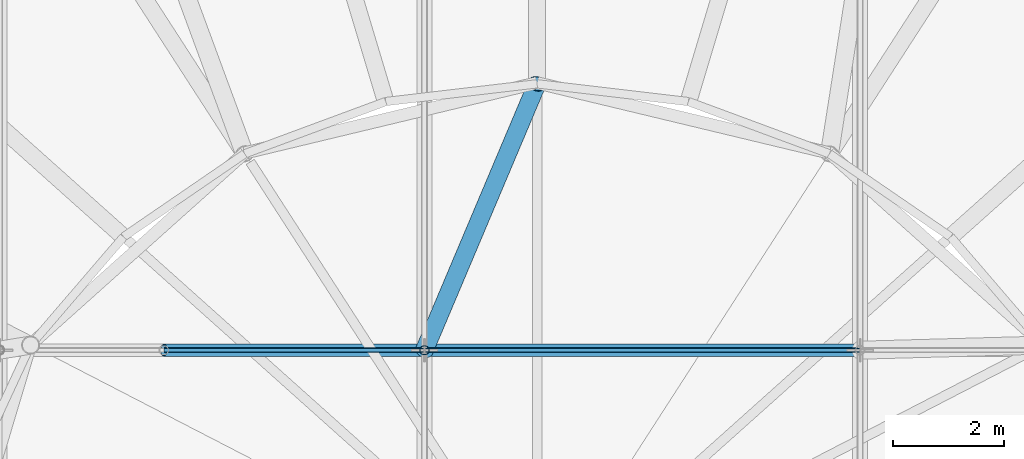
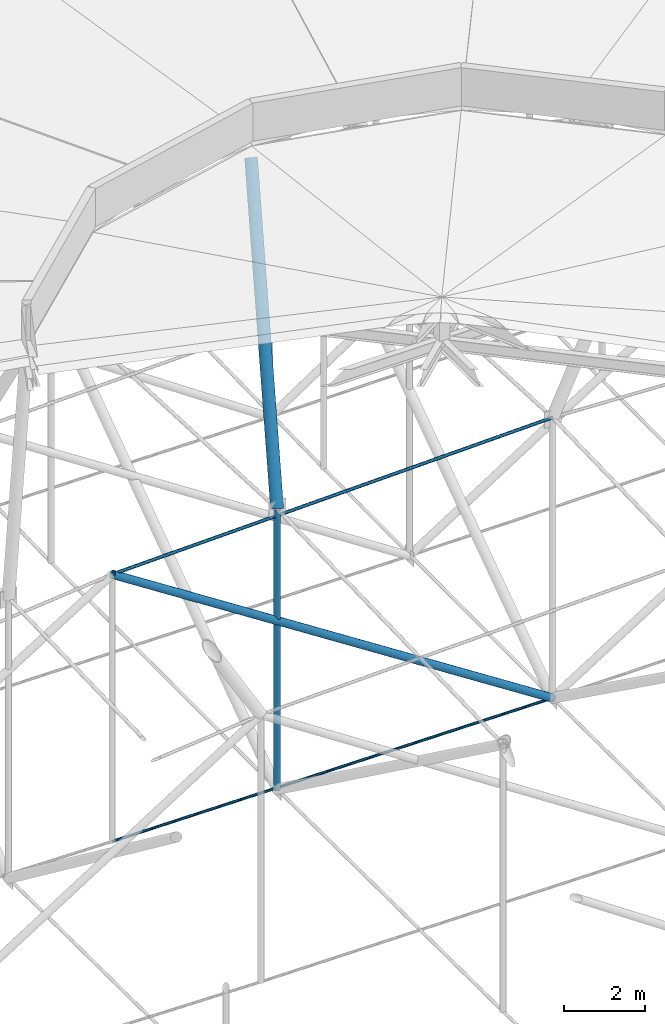
# One storey, part 55 of 173: 5 members.
"""IFC4 building model written with IfcOpenShell, lengths in metres."""

from ifc_helpers import new_model, si_unit, direction, frame, origin, origin_2d, place, context, subcontext, project, spatial, circle, hollow_circle, extrude, material, material_profile, profile_set, type_object, element, save


model = new_model("IFC4")

# Units and contexts
model_context = context("Model", 3, precision=1e-05, world=origin(), true_north=direction((0.0, 1.0)))
body_context = subcontext(model_context, "Body", "Model", "MODEL_VIEW")
ifc_project = project(units=[si_unit("LENGTHUNIT", "METRE"), si_unit("AREAUNIT", "SQUARE_METRE"), si_unit("VOLUMEUNIT", "CUBIC_METRE"), si_unit("PLANEANGLEUNIT", "RADIAN"), si_unit("MASSUNIT", "GRAM", prefix="KILO")], contexts=[model_context])

# Site, building, storey
site_placement = place(None, origin())
site = spatial("IfcSite", under=ifc_project, at=site_placement, CompositionType="ELEMENT")
building_placement = place(site_placement, origin())
building = spatial("IfcBuilding", under=site, at=building_placement, Name="Glasvene Arena", CompositionType="ELEMENT")
storey_placement = place(building_placement, frame((0.0, 0.0, 28.800048828125)))
storey = spatial("IfcBuildingStorey", under=building, at=storey_placement, Name="RF", CompositionType="ELEMENT", Elevation=28.800048828125)

# Members
ifc_material_1 = material(Name="High-strength steel spiral strand S460", Category="steel")
ifc_material_profile_1 = material_profile(ifc_material_1, circle(Radius=0.03759765625, at=origin_2d()), Name="LCSS D75")
ifc_profile_set_1 = profile_set([ifc_material_profile_1], Name="High-strength steel spiral strand S460")
member_type_1 = type_object("IfcMemberType", Name="MB-CABLE-75", PredefinedType="USERDEFINED", material=ifc_profile_set_1)
member_1_placement = place(storey_placement, frame((79.5, 73.0, -2.328125), z_axis=(0.999983401712, 0.0, -0.005761623115), x_axis=(0.0, 1.0, 0.0)))
element("IfcMember", 1, at=member_1_placement, inside=storey, type_object=member_type_1, Name="Lower stabilization roof cable EW04-04", ObjectType="ROOF CABLE", PredefinedType="USERDEFINED", context=body_context, shape_type="SweptSolid", body=[
    extrude(circle(Radius=0.03759765625, at=origin_2d()), origin(), (0.0, 0.0, 1.0), 12.500244140625),
])
ifc_material_profile_2 = material_profile(ifc_material_1, circle(Radius=0.044921875, at=origin_2d()), Name="LCSS D90")
ifc_profile_set_2 = profile_set([ifc_material_profile_2], Name="High-strength steel spiral strand S460")
member_type_2 = type_object("IfcMemberType", Name="MB-CABLE-90", PredefinedType="USERDEFINED", material=ifc_profile_set_2)
member_2_placement = place(storey_placement, frame((79.5, 73.0, 5.6904296875), z_axis=(0.99965256686, 0.0, 0.026358026665), x_axis=(0.0, 1.0, 0.0)))
element("IfcMember", 2, at=member_2_placement, inside=storey, type_object=member_type_2, Name="Upper lens roof cable EW04-04", ObjectType="ROOF CABLE", PredefinedType="USERDEFINED", context=body_context, shape_type="SweptSolid", body=[
    extrude(circle(Radius=0.044921875, at=origin_2d()), origin(), (0.0, 0.0, 1.0), 12.50439453125),
])
ifc_material_2 = material(Name="Steel S355J2", Category="steel")
ifc_material_profile_3 = material_profile(ifc_material_2, hollow_circle(Radius=0.161865234375, WallThickness=0.01611328125, at=origin_2d()), Name="CHS 323.9x16.0")
ifc_profile_set_3 = profile_set([ifc_material_profile_3], Name="Steel S355J2")
member_type_3 = type_object("IfcMemberType", Name="MB-POST-CHS324", PredefinedType="BRACE", material=ifc_profile_set_3)
member_3_placement = place(storey_placement, frame((84.17822265625, 73.0, 6.02001953125), z_axis=(0.233425589172, 0.552232908764, 0.800344493826), x_axis=(-0.921093739116, 0.389340883754, 0.0)))
element("IfcMember", 3, at=member_3_placement, inside=storey, type_object=member_type_3, Name="Petal ring 5 ridge support post 07", PredefinedType="BRACE", context=body_context, shape_type="SweptSolid", body=[
    extrude(hollow_circle(Radius=0.161865234375, WallThickness=0.01611328125, at=origin_2d()), origin(), (0.0, 0.0, 1.0), 8.6611328125),
])
ifc_material_profile_4 = material_profile(ifc_material_2, hollow_circle(Radius=0.084228515625, WallThickness=0.008056640625, at=origin_2d()), Name="CHS 168.3x8.0")
ifc_profile_set_4 = profile_set([ifc_material_profile_4], Name="Steel S355J2")
member_type_4 = type_object("IfcMemberType", Name="MB-WEB-CHS168", PredefinedType="BRACE", material=ifc_profile_set_4)
member_4_placement = place(storey_placement, frame((84.17822265625, 73.0, -2.400146484375), z_axis=(0.0, 0.0, 1.0), x_axis=(1.0, 0.0, 0.0)))
element("IfcMember", 4, at=member_4_placement, inside=storey, type_object=member_type_4, Name="Cable-truss vertical strut NS06-04", PredefinedType="BRACE", context=body_context, shape_type="SweptSolid", body=[
    extrude(hollow_circle(Radius=0.084228515625, WallThickness=0.008056640625, at=origin_2d()), origin(), (0.0, 0.0, 1.0), 8.420166015625),
])
ifc_material_profile_5 = material_profile(ifc_material_2, hollow_circle(Radius=0.109619140625, WallThickness=0.010009765625, at=origin_2d()), Name="CHS 219.1x10.0")
ifc_profile_set_5 = profile_set([ifc_material_profile_5], Name="Steel S355J2")
member_type_5 = type_object("IfcMemberType", Name="MB-WEB-CHS219", PredefinedType="BRACE", material=ifc_profile_set_5)
member_5_placement = place(storey_placement, frame((79.5, 73.0, 5.6904296875), z_axis=(0.839498445346, 0.0, -0.543362089459), x_axis=(0.0, 1.0, 0.0)))
element("IfcMember", 5, at=member_5_placement, inside=storey, type_object=member_type_5, Name="Cable-truss diagonal web strut EW04-04", PredefinedType="BRACE", context=body_context, shape_type="SweptSolid", body=[
    extrude(hollow_circle(Radius=0.109619140625, WallThickness=0.010009765625, at=origin_2d()), origin(), (0.0, 0.0, 1.0), 14.889892578125),
])

save(model, "model.ifc")
